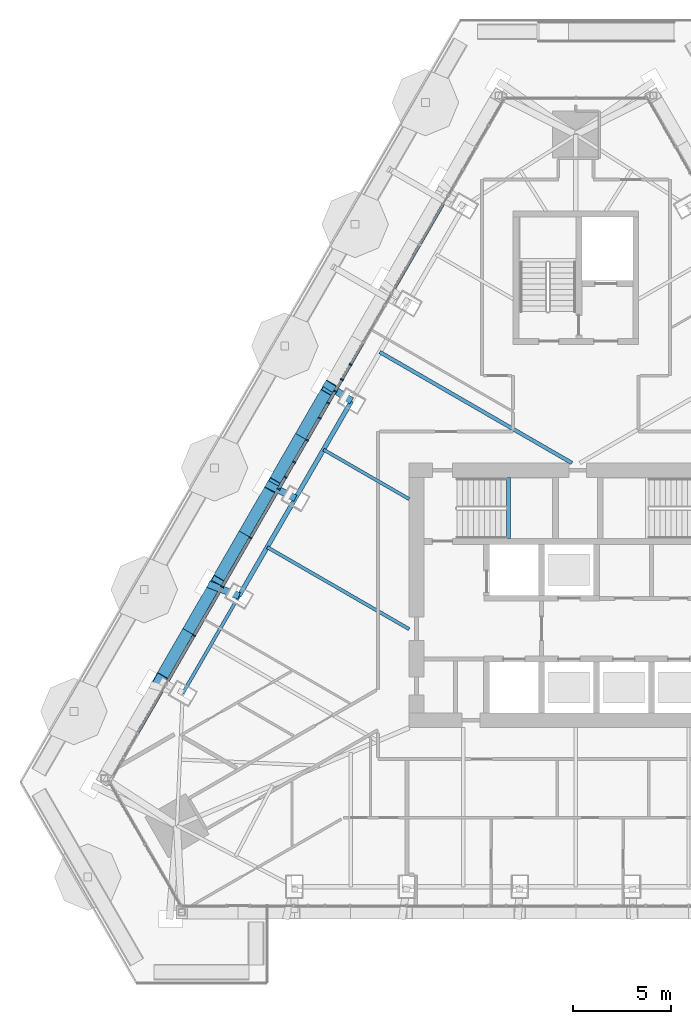
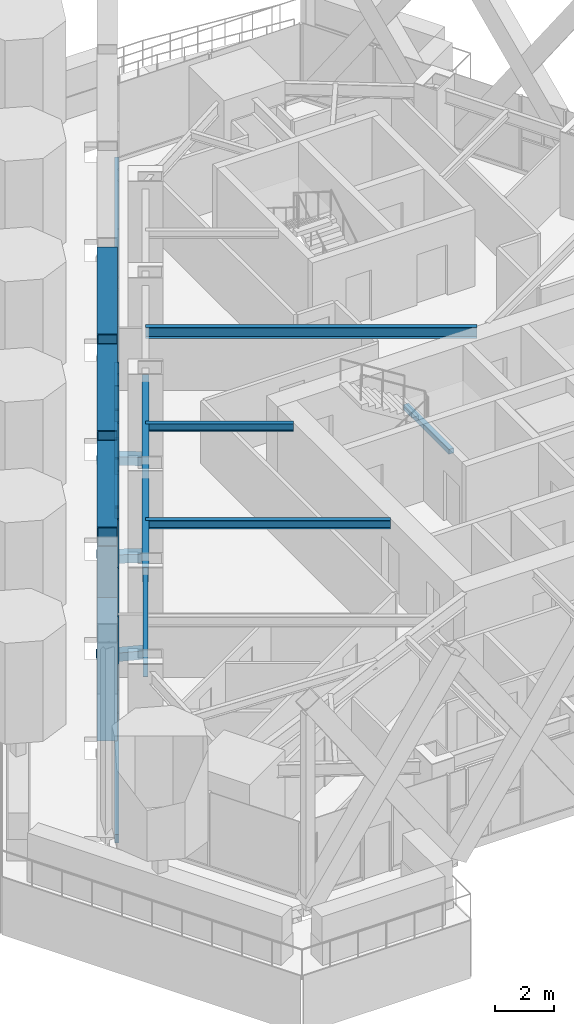
# One storey, part 4 of 24: 25 members, 6 beams, 1 element without a shape of its own.
"""IFC4 building model written with IfcOpenShell, lengths in metres."""

from ifc_helpers import new_model, si_unit, direction, frame, origin, origin_2d, place, context, subcontext, project, spatial, rectangle, hollow_rectangle, i_section, extrude, material, layer, layer_set, material_profile, profile_set, type_object, element, aggregate, save


model = new_model("IFC4")

# Units and contexts
model_context = context("Model", 3, precision=1e-05, world=origin(), true_north=direction((0.0, 1.0)))
body_context = subcontext(model_context, "Body", "Model", "MODEL_VIEW")
ifc_project = project(units=[si_unit("LENGTHUNIT", "METRE"), si_unit("AREAUNIT", "SQUARE_METRE"), si_unit("VOLUMEUNIT", "CUBIC_METRE"), si_unit("PLANEANGLEUNIT", "RADIAN"), si_unit("MASSUNIT", "GRAM", prefix="KILO")], contexts=[model_context])

# Site, building, storey
site_placement = place(None, origin())
site = spatial("IfcSite", under=ifc_project, at=site_placement, CompositionType="ELEMENT")
building_placement = place(site_placement, origin())
building = spatial("IfcBuilding", under=site, at=building_placement, Name="Firuza Gate Tower and Library", CompositionType="ELEMENT")
storey_placement = place(building_placement, frame((0.0, 0.0, 323.10009765625)))
storey = spatial("IfcBuildingStorey", under=building, at=storey_placement, Name="L79", CompositionType="ELEMENT", Elevation=323.10009765625)

# Members
ifc_material_1 = material(Name="Steel S355", Category="steel")
ifc_material_profile_1 = material_profile(ifc_material_1, hollow_rectangle(XDim=0.699951171875, YDim=0.699951171875, WallThickness=0.030029296875, at=origin_2d()))
ifc_profile_set_1 = profile_set([ifc_material_profile_1], Name="Steel S355")
member_type_1 = type_object("IfcMemberType", Name="BU700x700x30 Lattice brace", PredefinedType="BRACE", material=ifc_profile_set_1)
for number, where, z_axis, x_axis, name in (
    (1, (62.4375, 85.569091796875, 0.0), (-0.279939531792, -0.484890585756, 0.828561994292), (0.866034822164, -0.499983686533, 0.0), "Lattice brace W 21.4R"),
    (2, (59.565673828125, 80.5947265625, 0.0), (0.279939531792, 0.484890585756, 0.828561994292), (-0.866034822164, 0.499983686533, 0.0), "Lattice brace W 21.4L"),
    (3, (59.565673828125, 80.5947265625, 0.0), (-0.279961464902, -0.484887355268, 0.82855647416), (0.866016417261, -0.500015564793, 0.0), "Lattice brace W 21.5R"),
    (4, (56.693603515625, 75.620361328125, 0.0), (0.279961464902, 0.484887355268, 0.82855647416), (-0.866016417261, 0.500015564793, 0.0), "Lattice brace W 21.5L"),
):
    element("IfcMember", number, at=place(storey_placement, frame(where, z_axis=z_axis, x_axis=x_axis)), inside=storey, type_object=member_type_1, Name=name, PredefinedType="BRACE", context=body_context, shape_type="SweptSolid", body=[
        extrude(hollow_rectangle(XDim=0.699951171875, YDim=0.699951171875, WallThickness=0.030029296875, at=origin_2d()), origin(), (0.0, 0.0, 1.0), 10.2587890625),
    ])
for number, where, z_axis, x_axis, name in (
    (5, (56.693603515625, 75.620361328125, 0.0), (-0.279958234284, -0.484905557785, 0.828546913027), (0.866027043304, -0.499997160258, 0.0), "Lattice brace W 21.6R"),
    (6, (53.821533203125, 70.645751953125, 0.0), (0.279958234284, 0.484905557785, 0.828546913027), (-0.866027043304, 0.499997160258, 0.0), "Lattice brace W 21.6L"),
):
    element("IfcMember", number, at=place(storey_placement, frame(where, z_axis=z_axis, x_axis=x_axis)), inside=storey, type_object=member_type_1, Name=name, PredefinedType="BRACE", context=body_context, shape_type="SweptSolid", body=[
        extrude(hollow_rectangle(XDim=0.699951171875, YDim=0.699951171875, WallThickness=0.030029296875, at=origin_2d()), origin(), (0.0, 0.0, 1.0), 10.259033203125),
    ])

# Curtain wall, members
ifc_material_2 = material(Name="Aluminium 6063-T6", Category="aluminium")
ifc_layer = layer(ifc_material_2, 0.14990234375)
ifc_layer_set = layer_set([ifc_layer], Name="Unitised curtain wall, residences")
curtain_wall_type = type_object("IfcCurtainWallType", Name="Unitised curtain wall, residences", PredefinedType="NOTDEFINED", material=ifc_layer_set)
curtain_wall_placement = place(storey_placement, origin())
curtain_wall = element("IfcCurtainWall", 7, at=curtain_wall_placement, inside=storey, type_object=curtain_wall_type, Name="CW3 L79 W face", PredefinedType="NOTDEFINED")
ifc_material_3 = material(Name="Aluminium 6063-T6", Category="aluminium")
ifc_material_profile_2 = material_profile(ifc_material_3, rectangle(XDim=0.14990234375, YDim=0.080078125, at=origin_2d()))
ifc_profile_set_2 = profile_set([ifc_material_profile_2], Name="Aluminium 6063-T6")
member_type_2 = type_object("IfcMemberType", Name="Curtain wall mullion 80x150", PredefinedType="MULLION", material=ifc_profile_set_2)
member_1_placement = place(storey_placement, frame((62.72216796875, 85.412109375, 0.14990234375), z_axis=(0.0, 0.0, 1.0), x_axis=(0.866025403784, -0.5, 0.0)))
member_1 = element("IfcMember", 8, at=member_1_placement, type_object=member_type_2, Name="Mullion", PredefinedType="MULLION", context=body_context, shape_type="SweptSolid", body=[
    extrude(rectangle(XDim=0.14990234375, YDim=0.080078125, at=origin_2d()), origin(), (0.0, 0.0, 1.0), 3.050048828125),
])
member_2_placement = place(storey_placement, frame((61.282958984375, 82.91943359375, 0.14990234375), z_axis=(0.0, 0.0, 1.0), x_axis=(0.866025403784, -0.5, 0.0)))
member_2 = element("IfcMember", 9, at=member_2_placement, type_object=member_type_2, Name="Mullion", PredefinedType="MULLION", context=body_context, shape_type="SweptSolid", body=[
    extrude(rectangle(XDim=0.14990234375, YDim=0.080078125, at=origin_2d()), origin(), (0.0, 0.0, 1.0), 3.050048828125),
])
member_3_placement = place(storey_placement, frame((59.843994140625, 80.427001953125, 0.14990234375), z_axis=(0.0, 0.0, 1.0), x_axis=(0.866025403784, -0.5, 0.0)))
member_3 = element("IfcMember", 10, at=member_3_placement, type_object=member_type_2, Name="Mullion", PredefinedType="MULLION", context=body_context, shape_type="SweptSolid", body=[
    extrude(rectangle(XDim=0.14990234375, YDim=0.080078125, at=origin_2d()), origin(), (0.0, 0.0, 1.0), 3.050048828125),
])
member_4_placement = place(storey_placement, frame((58.40478515625, 77.934326171875, 0.14990234375), z_axis=(0.0, 0.0, 1.0), x_axis=(0.866025403784, -0.5, 0.0)))
member_4 = element("IfcMember", 11, at=member_4_placement, type_object=member_type_2, Name="Mullion", PredefinedType="MULLION", context=body_context, shape_type="SweptSolid", body=[
    extrude(rectangle(XDim=0.14990234375, YDim=0.080078125, at=origin_2d()), origin(), (0.0, 0.0, 1.0), 3.050048828125),
])
member_5_placement = place(storey_placement, frame((56.9658203125, 75.441650390625, 0.14990234375), z_axis=(0.0, 0.0, 1.0), x_axis=(0.866025403784, -0.5, 0.0)))
member_5 = element("IfcMember", 12, at=member_5_placement, type_object=member_type_2, Name="Mullion", PredefinedType="MULLION", context=body_context, shape_type="SweptSolid", body=[
    extrude(rectangle(XDim=0.14990234375, YDim=0.080078125, at=origin_2d()), origin(), (0.0, 0.0, 1.0), 3.050048828125),
])
member_6_placement = place(storey_placement, frame((55.526611328125, 72.94921875, 0.14990234375), z_axis=(0.0, 0.0, 1.0), x_axis=(0.866025403784, -0.5, 0.0)))
member_6 = element("IfcMember", 13, at=member_6_placement, type_object=member_type_2, Name="Mullion", PredefinedType="MULLION", context=body_context, shape_type="SweptSolid", body=[
    extrude(rectangle(XDim=0.14990234375, YDim=0.080078125, at=origin_2d()), origin(), (0.0, 0.0, 1.0), 3.050048828125),
])
member_7_placement = place(storey_placement, frame((63.505126953125, 86.768310546875, 0.14990234375), z_axis=(0.0, 0.0, 1.0), x_axis=(0.866025403784, -0.5, 0.0)))
member_7 = element("IfcMember", 14, at=member_7_placement, type_object=member_type_2, Name="Mullion", PredefinedType="MULLION", context=body_context, shape_type="SweptSolid", body=[
    extrude(rectangle(XDim=0.14990234375, YDim=0.080078125, at=origin_2d()), origin(), (0.0, 0.0, 1.0), 1.485107421875),
])
member_8_placement = place(storey_placement, frame((63.064697265625, 86.005615234375, 1.71484375), z_axis=(0.0, 0.0, 1.0), x_axis=(0.866025403784, -0.5, 0.0)))
member_8 = element("IfcMember", 15, at=member_8_placement, type_object=member_type_2, Name="Mullion", PredefinedType="MULLION", context=body_context, shape_type="SweptSolid", body=[
    extrude(rectangle(XDim=0.14990234375, YDim=0.080078125, at=origin_2d()), origin(), (0.0, 0.0, 1.0), 1.485107421875),
])
member_9_placement = place(storey_placement, frame((61.932861328125, 84.045166015625, 0.14990234375), z_axis=(0.0, 0.0, 1.0), x_axis=(0.866025403784, -0.5, 0.0)))
member_9 = element("IfcMember", 16, at=member_9_placement, type_object=member_type_2, Name="Mullion", PredefinedType="MULLION", context=body_context, shape_type="SweptSolid", body=[
    extrude(rectangle(XDim=0.14990234375, YDim=0.080078125, at=origin_2d()), origin(), (0.0, 0.0, 1.0), 1.485107421875),
])
member_10_placement = place(storey_placement, frame((62.373291015625, 84.807861328125, 1.71484375), z_axis=(0.0, 0.0, 1.0), x_axis=(0.866025403784, -0.5, 0.0)))
member_10 = element("IfcMember", 17, at=member_10_placement, type_object=member_type_2, Name="Mullion", PredefinedType="MULLION", context=body_context, shape_type="SweptSolid", body=[
    extrude(rectangle(XDim=0.14990234375, YDim=0.080078125, at=origin_2d()), origin(), (0.0, 0.0, 1.0), 1.485107421875),
])
member_11_placement = place(storey_placement, frame((60.63330078125, 81.7939453125, 0.14990234375), z_axis=(0.0, 0.0, 1.0), x_axis=(0.866025403784, -0.5, 0.0)))
member_11 = element("IfcMember", 18, at=member_11_placement, type_object=member_type_2, Name="Mullion", PredefinedType="MULLION", context=body_context, shape_type="SweptSolid", body=[
    extrude(rectangle(XDim=0.14990234375, YDim=0.080078125, at=origin_2d()), origin(), (0.0, 0.0, 1.0), 1.485107421875),
])
member_12_placement = place(storey_placement, frame((60.19287109375, 81.03125, 1.71484375), z_axis=(0.0, 0.0, 1.0), x_axis=(0.866025403784, -0.5, 0.0)))
member_12 = element("IfcMember", 19, at=member_12_placement, type_object=member_type_2, Name="Mullion", PredefinedType="MULLION", context=body_context, shape_type="SweptSolid", body=[
    extrude(rectangle(XDim=0.14990234375, YDim=0.080078125, at=origin_2d()), origin(), (0.0, 0.0, 1.0), 1.485107421875),
])
ifc_material_4 = material(Name="Aluminium 6063-T6", Category="aluminium")
ifc_material_profile_3 = material_profile(ifc_material_4, rectangle(XDim=0.14990234375, YDim=0.35009765625, at=origin_2d()))
ifc_profile_set_3 = profile_set([ifc_material_profile_3], Name="Aluminium 6063-T6")
member_type_3 = type_object("IfcMemberType", Name="Curtain wall transom 350x150", PredefinedType="USERDEFINED", material=ifc_profile_set_3)
member_13_placement = place(storey_placement, frame((71.356689453125, 100.36767578125, -0.025146484375), z_axis=(-0.499997451964, -0.866026874889, 0.0), x_axis=(0.866026874889, -0.499997451964, 0.0)))
member_13 = element("IfcMember", 20, at=member_13_placement, type_object=member_type_3, Name="Transom", ObjectType="TRANSOM", PredefinedType="USERDEFINED", context=body_context, shape_type="SweptSolid", body=[
    extrude(rectangle(XDim=0.14990234375, YDim=0.35009765625, at=origin_2d()), origin(), (0.0, 0.0, 1.0), 40.294677734375),
])
ifc_material_5 = material(Name="Aluminium 6063-T6", Category="aluminium")
ifc_material_profile_4 = material_profile(ifc_material_5, rectangle(XDim=0.14990234375, YDim=0.080078125, at=origin_2d()))
ifc_profile_set_4 = profile_set([ifc_material_profile_4], Name="Aluminium 6063-T6")
member_type_4 = type_object("IfcMemberType", Name="Curtain wall transom 80x150", PredefinedType="USERDEFINED", material=ifc_profile_set_4)
member_14_placement = place(storey_placement, frame((64.14111328125, 87.8701171875, 1.6748046875), z_axis=(-0.499949037577, -0.866054824954, 0.0), x_axis=(0.866054824954, -0.499949037577, 0.0)))
member_14 = element("IfcMember", 21, at=member_14_placement, type_object=member_type_4, Name="Transom", ObjectType="TRANSOM", PredefinedType="USERDEFINED", context=body_context, shape_type="SweptSolid", body=[
    extrude(rectangle(XDim=0.14990234375, YDim=0.080078125, at=origin_2d()), origin(), (0.0, 0.0, 1.0), 2.798095703125),
])
member_15_placement = place(storey_placement, frame((62.7021484375, 85.37744140625, 1.6748046875), z_axis=(-0.500014476097, -0.866017045845, 0.0), x_axis=(0.866017045845, -0.500014476097, 0.0)))
member_15 = element("IfcMember", 22, at=member_15_placement, type_object=member_type_4, Name="Transom", ObjectType="TRANSOM", PredefinedType="USERDEFINED", context=body_context, shape_type="SweptSolid", body=[
    extrude(rectangle(XDim=0.14990234375, YDim=0.080078125, at=origin_2d()), origin(), (0.0, 0.0, 1.0), 2.79833984375),
])
member_16_placement = place(storey_placement, frame((61.262939453125, 82.884765625, 1.6748046875), z_axis=(-0.499949037577, -0.866054824954, 0.0), x_axis=(0.866054824954, -0.499949037577, 0.0)))
member_16 = element("IfcMember", 23, at=member_16_placement, type_object=member_type_4, Name="Transom", ObjectType="TRANSOM", PredefinedType="USERDEFINED", context=body_context, shape_type="SweptSolid", body=[
    extrude(rectangle(XDim=0.14990234375, YDim=0.080078125, at=origin_2d()), origin(), (0.0, 0.0, 1.0), 2.798095703125),
])
aggregate(curtain_wall, [member_1, member_2, member_3, member_4, member_5, member_6, member_13, member_7, member_8, member_14, member_9, member_10, member_15, member_11, member_12, member_16])

# Members
ifc_material_6 = material(Name="Steel S355", Category="steel")
ifc_material_profile_5 = material_profile(ifc_material_6, hollow_rectangle(XDim=0.355712890625, YDim=0.355712890625, WallThickness=0.014892578125, at=origin_2d()))
ifc_profile_set_5 = profile_set([ifc_material_profile_5], Name="Steel S355")
member_type_5 = type_object("IfcMemberType", Name="HSS356x356x16 Lattice node tie", PredefinedType="BRACE", material=ifc_profile_set_5)
member_17_placement = place(storey_placement, frame((57.8193359375, 74.97021484375, -0.320068359375), z_axis=(-0.933907450253, 0.357514858938, 0.0), x_axis=(-0.357514858938, -0.933907450253, 0.0)))
element("IfcMember", 24, at=member_17_placement, inside=storey, type_object=member_type_5, Name="Lattice node tie W L79 593", PredefinedType="BRACE", context=body_context, shape_type="SweptSolid", body=[
    extrude(hollow_rectangle(XDim=0.355712890625, YDim=0.355712890625, WallThickness=0.014892578125, at=origin_2d()), origin(), (0.0, 0.0, 1.0), 1.676513671875),
])
for number, where, z_axis, x_axis, name in (
    (25, (60.69140625, 79.94482421875, -0.320068359375), (-0.891373028978, 0.453270474673, 0.0), (-0.453270474673, -0.891373028978, 0.0), "Lattice node tie W L79 594"),
    (26, (63.5634765625, 84.919189453125, -0.320068359375), (-0.838272003294, 0.545252279677, 0.0), (-0.545252279677, -0.838272003294, 0.0), "Lattice node tie W L79 595"),
):
    element("IfcMember", number, at=place(storey_placement, frame(where, z_axis=z_axis, x_axis=x_axis)), inside=storey, type_object=member_type_5, Name=name, PredefinedType="BRACE", context=body_context, shape_type="SweptSolid", body=[
        extrude(hollow_rectangle(XDim=0.355712890625, YDim=0.355712890625, WallThickness=0.014892578125, at=origin_2d()), origin(), (0.0, 0.0, 1.0), 1.657958984375),
    ])

# Beams
ifc_material_7 = material(Name="Concrete C35/45", Category="concrete")
ifc_material_profile_6 = material_profile(ifc_material_7, rectangle(XDim=0.199951171875, YDim=0.199951171875, at=origin_2d()))
ifc_profile_set_6 = profile_set([ifc_material_profile_6], Name="Concrete C35/45")
beam_type_1 = type_object("IfcBeamType", Name="Stair landing bearer 200x200", PredefinedType="BEAM", material=ifc_profile_set_6)
beam_1_placement = place(storey_placement, frame((71.56005859375, 77.89990234375, 1.449951171875), z_axis=(0.0, 1.0, 0.0), x_axis=(-1.0, 0.0, 0.0)))
element("IfcBeam", 27, at=beam_1_placement, inside=storey, type_object=beam_type_1, Name="Landing bearer L79 stair 1", PredefinedType="BEAM", context=body_context, shape_type="SweptSolid", body=[
    extrude(rectangle(XDim=0.199951171875, YDim=0.199951171875, at=origin_2d()), origin(), (0.0, 0.0, 1.0), 3.10009765625),
])
ifc_material_8 = material(Name="Steel S355", Category="steel")
ifc_material_profile_7 = material_profile(ifc_material_8, i_section(OverallWidth=0.1650390625, OverallDepth=0.31005859375, WebThickness=0.005859375, FlangeThickness=0.009765625, at=origin_2d()))
ifc_profile_set_7 = profile_set([ifc_material_profile_7], Name="Steel S355")
beam_type_2 = type_object("IfcBeamType", Name="W310x39 Floor beam", PredefinedType="JOIST", material=ifc_profile_set_7)
beam_2_placement = place(storey_placement, frame((62.12744140625, 82.431884765625, 3.044921875), z_axis=(0.866032592222, -0.499987549055, 0.0), x_axis=(0.499987549055, 0.866032592222, 0.0)))
element("IfcBeam", 28, at=beam_2_placement, inside=storey, type_object=beam_type_2, Name="Floor beam L79 s82", PredefinedType="JOIST", context=body_context, shape_type="SweptSolid", body=[
    extrude(i_section(OverallWidth=0.1650390625, OverallDepth=0.31005859375, WebThickness=0.005859375, FlangeThickness=0.009765625, at=origin_2d()), origin(), (0.0, 0.0, 1.0), 5.049072265625),
])
ifc_material_9 = material(Name="Steel S355", Category="steel")
ifc_material_profile_8 = material_profile(ifc_material_9, i_section(OverallWidth=0.1708984375, OverallDepth=0.35498046875, WebThickness=0.007080078125, FlangeThickness=0.01171875, at=origin_2d()))
ifc_profile_set_8 = profile_set([ifc_material_profile_8], Name="Steel S355")
beam_type_3 = type_object("IfcBeamType", Name="W360x51 Floor beam", PredefinedType="JOIST", material=ifc_profile_set_8)
beam_3_placement = place(storey_placement, frame((59.25537109375, 77.45751953125, 3.0224609375), z_axis=(0.866029092459, -0.499993610973, 0.0), x_axis=(0.499993610973, 0.866029092459, 0.0)))
element("IfcBeam", 29, at=beam_3_placement, inside=storey, type_object=beam_type_3, Name="Floor beam L79 s83", PredefinedType="JOIST", context=body_context, shape_type="SweptSolid", body=[
    extrude(i_section(OverallWidth=0.1708984375, OverallDepth=0.35498046875, WebThickness=0.007080078125, FlangeThickness=0.01171875, at=origin_2d()), origin(), (0.0, 0.0, 1.0), 8.365234375),
])
ifc_material_10 = material(Name="Steel S355", Category="steel")
ifc_material_profile_9 = material_profile(ifc_material_10, i_section(OverallWidth=0.18994140625, OverallDepth=0.45703125, WebThickness=0.009033203125, FlangeThickness=0.014404296875, at=origin_2d()))
ifc_profile_set_9 = profile_set([ifc_material_profile_9], Name="Steel S355")
beam_type_4 = type_object("IfcBeamType", Name="W460x74 Floor beam", PredefinedType="JOIST", material=ifc_profile_set_9)
beam_4_placement = place(storey_placement, frame((64.99951171875, 87.406494140625, 2.971435546875), z_axis=(0.866020628101, -0.500008271636, 0.0), x_axis=(0.500008271636, 0.866020628101, 0.0)))
element("IfcBeam", 30, at=beam_4_placement, inside=storey, type_object=beam_type_4, Name="Floor beam L79 s81", PredefinedType="JOIST", context=body_context, shape_type="SweptSolid", body=[
    extrude(i_section(OverallWidth=0.18994140625, OverallDepth=0.45703125, WebThickness=0.009033203125, FlangeThickness=0.014404296875, at=origin_2d()), origin(), (0.0, 0.0, 1.0), 11.312744140625),
])
ifc_material_11 = material(Name="Steel S355", Category="steel")
ifc_material_profile_10 = material_profile(ifc_material_11, i_section(OverallWidth=0.166015625, OverallDepth=0.534912109375, WebThickness=0.01025390625, FlangeThickness=0.0166015625, at=origin_2d()))
ifc_profile_set_10 = profile_set([ifc_material_profile_10], Name="Steel S355")
beam_type_5 = type_object("IfcBeamType", Name="W530x85 Edge beam", PredefinedType="SPANDREL", material=ifc_profile_set_10)
beam_5_placement = place(storey_placement, frame((57.8193359375, 74.97021484375, 2.932373046875), z_axis=(-0.499983686533, -0.866034822164, 0.0), x_axis=(0.866034822164, -0.499983686533, 0.0)))
element("IfcBeam", 31, at=beam_5_placement, inside=storey, type_object=beam_type_5, Name="Edge beam L79 e84", PredefinedType="SPANDREL", context=body_context, shape_type="SweptSolid", body=[
    extrude(i_section(OverallWidth=0.166015625, OverallDepth=0.534912109375, WebThickness=0.01025390625, FlangeThickness=0.0166015625, at=origin_2d()), origin(), (0.0, 0.0, 1.0), 5.743896484375),
])
ifc_material_12 = material(Name="Steel S355", Category="steel")
ifc_material_profile_11 = material_profile(ifc_material_12, i_section(OverallWidth=0.22900390625, OverallDepth=0.612060546875, WebThickness=0.011962890625, FlangeThickness=0.01953125, at=origin_2d()))
ifc_profile_set_11 = profile_set([ifc_material_profile_11], Name="Steel S355")
beam_type_6 = type_object("IfcBeamType", Name="W610x125 Edge beam", PredefinedType="SPANDREL", material=ifc_profile_set_11)
beam_6_placement = place(storey_placement, frame((63.5634765625, 84.919189453125, 2.893798828125), z_axis=(-0.500006362384, -0.866021730429, 0.0), x_axis=(0.866021730429, -0.500006362384, 0.0)))
element("IfcBeam", 32, at=beam_6_placement, inside=storey, type_object=beam_type_6, Name="Edge beam L79 e82", PredefinedType="SPANDREL", context=body_context, shape_type="SweptSolid", body=[
    extrude(i_section(OverallWidth=0.22900390625, OverallDepth=0.612060546875, WebThickness=0.011962890625, FlangeThickness=0.01953125, at=origin_2d()), origin(), (0.0, 0.0, 1.0), 11.488037109375),
])

save(model, "model.ifc")
